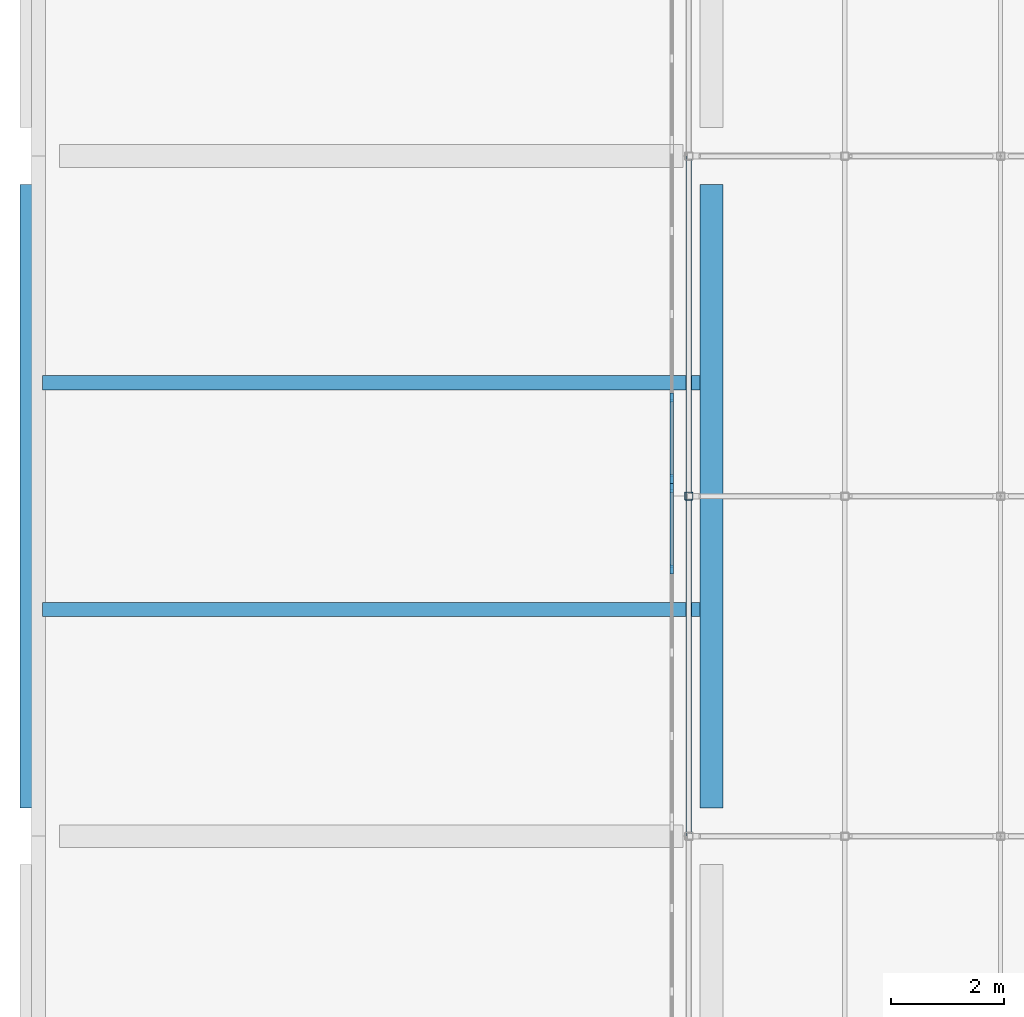
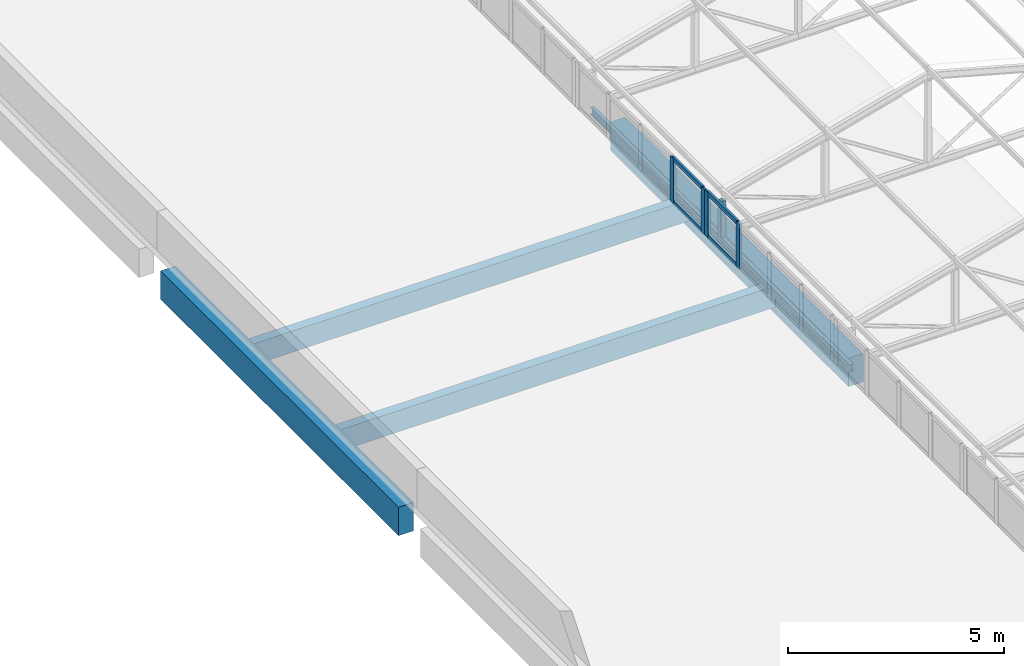
# One storey, part 13 of 94: 9 members, 5 beams, 2 elements without a shape of their own.
"""IFC4 building model written with IfcOpenShell, lengths in metres."""

from ifc_helpers import new_model, si_unit, direction, frame, origin, origin_2d, place, context, subcontext, project, spatial, rectangle, hollow_rectangle, i_section, extrude, material, layer, layer_set, material_profile, profile_set, type_object, element, aggregate, save


model = new_model("IFC4")

# Units and contexts
model_context = context("Model", 3, precision=1e-05, world=origin(), true_north=direction((0.0, 1.0)))
body_context = subcontext(model_context, "Body", "Model", "MODEL_VIEW")
ifc_project = project(units=[si_unit("LENGTHUNIT", "METRE"), si_unit("AREAUNIT", "SQUARE_METRE"), si_unit("VOLUMEUNIT", "CUBIC_METRE"), si_unit("PLANEANGLEUNIT", "RADIAN"), si_unit("MASSUNIT", "GRAM", prefix="KILO")], contexts=[model_context])

# Site, building, storey
site_placement = place(None, origin())
site = spatial("IfcSite", under=ifc_project, at=site_placement, CompositionType="ELEMENT")
building_placement = place(site_placement, origin())
building = spatial("IfcBuilding", under=site, at=building_placement, Name="Lilac Gate Convention Centre", CompositionType="ELEMENT")
storey_placement = place(building_placement, frame((0.0, 0.0, 21.0)))
storey = spatial("IfcBuildingStorey", under=building, at=storey_placement, Name="L04", CompositionType="ELEMENT", Elevation=21.0)

# Curtain wall, members
ifc_material_1 = material(Name="Aluminium framed double glazing", Category="aluminium")
ifc_layer = layer(ifc_material_1, 0.199951171875)
ifc_layer_set = layer_set([ifc_layer], Name="Aluminium framed double glazing")
curtain_wall_type = type_object("IfcCurtainWallType", Name="Unitised curtain wall 1500", PredefinedType="NOTDEFINED", material=ifc_layer_set)
curtain_wall_1_placement = place(storey_placement, origin())
curtain_wall_1 = element("IfcCurtainWall", 1, at=curtain_wall_1_placement, inside=storey, type_object=curtain_wall_type, Name="Lantern clerestory W 7", PredefinedType="NOTDEFINED")
ifc_material_2 = material(Name="Aluminium alloy 6063", Category="aluminium")
ifc_material_profile_1 = material_profile(ifc_material_2, rectangle(XDim=0.06005859375, YDim=0.159912109375, at=origin_2d()), Name="Curtain wall mullion 60 x 160")
ifc_profile_set_1 = profile_set([ifc_material_profile_1], Name="Aluminium alloy 6063")
member_type_1 = type_object("IfcMemberType", Name="Curtain wall mullion 60 x 160", PredefinedType="MULLION", material=ifc_profile_set_1)
member_1_placement = place(storey_placement, frame((17.300048828125, 70.706298828125, 0.0), z_axis=(0.0, 0.0, 1.0), x_axis=(-1.0, 0.0, 0.0)))
member_1 = element("IfcMember", 2, at=member_1_placement, type_object=member_type_1, Name="CW mullion 4", PredefinedType="MULLION", context=body_context, shape_type="SweptSolid", body=[
    extrude(rectangle(XDim=0.06005859375, YDim=0.159912109375, at=origin_2d()), origin(), (0.0, 0.0, 1.0), 1.272216796875),
])
member_2_placement = place(storey_placement, frame((17.300048828125, 72.14501953125, 0.0), z_axis=(0.0, 0.0, 1.0), x_axis=(-1.0, 0.0, 0.0)))
member_2 = element("IfcMember", 3, at=member_2_placement, type_object=member_type_1, Name="CW mullion 5", PredefinedType="MULLION", context=body_context, shape_type="SweptSolid", body=[
    extrude(rectangle(XDim=0.06005859375, YDim=0.159912109375, at=origin_2d()), origin(), (0.0, 0.0, 1.0), 1.272216796875),
])

curtain_wall_2_placement = place(storey_placement, origin())
curtain_wall_2 = element("IfcCurtainWall", 4, at=curtain_wall_2_placement, inside=storey, type_object=curtain_wall_type, Name="Lantern clerestory W 8", PredefinedType="NOTDEFINED")
member_3_placement = place(storey_placement, frame((17.300048828125, 72.304931640625, 0.0), z_axis=(0.0, 0.0, 1.0), x_axis=(-1.0, 0.0, 0.0)))
member_3 = element("IfcMember", 5, at=member_3_placement, type_object=member_type_1, Name="CW mullion 1", PredefinedType="MULLION", context=body_context, shape_type="SweptSolid", body=[
    extrude(rectangle(XDim=0.06005859375, YDim=0.159912109375, at=origin_2d()), origin(), (0.0, 0.0, 1.0), 1.272216796875),
])
member_4_placement = place(storey_placement, frame((17.300048828125, 73.74365234375, 0.0), z_axis=(0.0, 0.0, 1.0), x_axis=(-1.0, 0.0, 0.0)))
member_4 = element("IfcMember", 6, at=member_4_placement, type_object=member_type_1, Name="CW mullion 2", PredefinedType="MULLION", context=body_context, shape_type="SweptSolid", body=[
    extrude(rectangle(XDim=0.06005859375, YDim=0.159912109375, at=origin_2d()), origin(), (0.0, 0.0, 1.0), 1.272216796875),
])

# Member
ifc_material_profile_2 = material_profile(ifc_material_2, rectangle(XDim=0.06005859375, YDim=0.1201171875, at=origin_2d()), Name="Curtain wall transom 60 x 120")
ifc_profile_set_2 = profile_set([ifc_material_profile_2], Name="Aluminium alloy 6063")
member_type_2 = type_object("IfcMemberType", Name="Curtain wall transom 60 x 120", PredefinedType="USERDEFINED", material=ifc_profile_set_2)
member_5_placement = place(storey_placement, frame((17.300048828125, 70.736328125, 0.030029296875), z_axis=(0.0, 1.0, 0.0), x_axis=(-1.0, 0.0, 0.0)))
member_5 = element("IfcMember", 7, at=member_5_placement, type_object=member_type_2, Name="CW transom 4.1", ObjectType="TRANSOM", PredefinedType="USERDEFINED", context=body_context, shape_type="SweptSolid", body=[
    extrude(rectangle(XDim=0.06005859375, YDim=0.1201171875, at=origin_2d()), origin(), (0.0, 0.0, 1.0), 1.378662109375),
])

member_6_placement = place(storey_placement, frame((17.300048828125, 70.736328125, 1.2421875), z_axis=(0.0, 1.0, 0.0), x_axis=(-1.0, 0.0, 0.0)))
member_6 = element("IfcMember", 8, at=member_6_placement, type_object=member_type_2, Name="CW transom 4.2", ObjectType="TRANSOM", PredefinedType="USERDEFINED", context=body_context, shape_type="SweptSolid", body=[
    extrude(rectangle(XDim=0.06005859375, YDim=0.1201171875, at=origin_2d()), origin(), (0.0, 0.0, 1.0), 1.378662109375),
])

aggregate(curtain_wall_1, [member_1, member_2, member_5, member_6])

member_7_placement = place(storey_placement, frame((17.300048828125, 72.3349609375, 0.030029296875), z_axis=(0.0, 1.0, 0.0), x_axis=(-1.0, 0.0, 0.0)))
member_7 = element("IfcMember", 9, at=member_7_placement, type_object=member_type_2, Name="CW transom 1.1", ObjectType="TRANSOM", PredefinedType="USERDEFINED", context=body_context, shape_type="SweptSolid", body=[
    extrude(rectangle(XDim=0.06005859375, YDim=0.1201171875, at=origin_2d()), origin(), (0.0, 0.0, 1.0), 1.378662109375),
])

member_8_placement = place(storey_placement, frame((17.300048828125, 72.3349609375, 1.2421875), z_axis=(0.0, 1.0, 0.0), x_axis=(-1.0, 0.0, 0.0)))
member_8 = element("IfcMember", 10, at=member_8_placement, type_object=member_type_2, Name="CW transom 1.2", ObjectType="TRANSOM", PredefinedType="USERDEFINED", context=body_context, shape_type="SweptSolid", body=[
    extrude(rectangle(XDim=0.06005859375, YDim=0.1201171875, at=origin_2d()), origin(), (0.0, 0.0, 1.0), 1.378662109375),
])

aggregate(curtain_wall_2, [member_3, member_4, member_7, member_8])

ifc_material_3 = material(Name="Steel Q355B", Category="steel")
ifc_material_profile_3 = material_profile(ifc_material_3, hollow_rectangle(XDim=0.139892578125, YDim=0.139892578125, WallThickness=0.0048828125, InnerFilletRadius=0.0048828125, OuterFilletRadius=0.010009765625, at=origin_2d()), Name="SHS140x140x5")
ifc_profile_set_3 = profile_set([ifc_material_profile_3], Name="Steel Q355B")
member_type_3 = type_object("IfcMemberType", Name="Lantern post SHS140x140x5", PredefinedType="STRUT", material=ifc_profile_set_3)
member_9_placement = place(storey_placement, frame((17.60009765625, 72.0, 0.0), z_axis=(0.0, 0.0, 1.0), x_axis=(1.0, 0.0, 0.0)))
element("IfcMember", 11, at=member_9_placement, inside=storey, type_object=member_type_3, Name="LV1 lantern truss 8 post 1", PredefinedType="STRUT", context=body_context, shape_type="SweptSolid", body=[
    extrude(hollow_rectangle(XDim=0.139892578125, YDim=0.139892578125, WallThickness=0.0048828125, InnerFilletRadius=0.0048828125, OuterFilletRadius=0.010009765625, at=origin_2d()), origin(), (0.0, 0.0, 1.0), 1.001953125),
])

# Beams
ifc_material_profile_4 = material_profile(ifc_material_3, i_section(OverallWidth=0.10009765625, OverallDepth=0.199951171875, WebThickness=0.005615234375, FlangeThickness=0.008056640625, FilletRadius=0.008056640625, at=origin_2d()), Name="HN200x100x5.5x8")
ifc_profile_set_4 = profile_set([ifc_material_profile_4], Name="Steel Q355B")
beam_type_1 = type_object("IfcBeamType", Name="Steel edge beam HN200x100x5.5x8", PredefinedType="BEAM", material=ifc_profile_set_4)
beam_placement = place(storey_placement, frame((17.60009765625, 66.0, -0.10009765625), z_axis=(0.0, 1.0, 0.0), x_axis=(-1.0, 0.0, 0.0)))
element("IfcBeam", 12, at=beam_placement, inside=storey, type_object=beam_type_1, Name="LE2 lantern west edge beam 4", PredefinedType="BEAM", context=body_context, shape_type="SweptSolid", body=[
    extrude(i_section(OverallWidth=0.10009765625, OverallDepth=0.199951171875, WebThickness=0.005615234375, FlangeThickness=0.008056640625, FilletRadius=0.008056640625, at=origin_2d()), origin(), (0.0, 0.0, 1.0), 12.0),
])
ifc_material_4 = material(Name="Concrete C40", Category="concrete")
ifc_material_profile_5 = material_profile(ifc_material_4, rectangle(XDim=0.39990234375, YDim=0.800048828125, at=origin_2d()), Name="RC 400x800")
ifc_profile_set_5 = profile_set([ifc_material_profile_5], Name="Concrete C40")
beam_type_2 = type_object("IfcBeamType", Name="Tower primary beam 400x800 C40", PredefinedType="BEAM", material=ifc_profile_set_5)
for number, where, z_axis, x_axis, name in (
    (13, (6.0, 66.5, -0.60009765625), (0.0, 1.0, 0.0), (-1.0, 0.0, 0.0), "RB3 L04 1/D-1/E"),
    (14, (18.0, 66.5, -0.60009765625), (0.0, 1.0, 0.0), (-1.0, 0.0, 0.0), "RB3 L04 2/D-2/E"),
):
    element("IfcBeam", number, at=place(storey_placement, frame(where, z_axis=z_axis, x_axis=x_axis)), inside=storey, type_object=beam_type_2, Name=name, PredefinedType="BEAM", context=body_context, shape_type="SweptSolid", body=[
        extrude(rectangle(XDim=0.39990234375, YDim=0.800048828125, at=origin_2d()), origin(), (0.0, 0.0, 1.0), 11.0),
    ])
ifc_material_profile_6 = material_profile(ifc_material_4, rectangle(XDim=0.25, YDim=0.60009765625, at=origin_2d()), Name="RC 250x600")
ifc_profile_set_6 = profile_set([ifc_material_profile_6], Name="Concrete C40")
beam_type_3 = type_object("IfcBeamType", Name="Tower secondary beam 250x600 C40", PredefinedType="BEAM", material=ifc_profile_set_6)
for number, where, z_axis, x_axis, name in (
    (15, (6.199951171875, 70.0, -0.5), (1.0, 0.0, 0.0), (0.0, 1.0, 0.0), "RB4 L04 bay 1/D"),
    (16, (6.199951171875, 74.0, -0.5), (1.0, 0.0, 0.0), (0.0, 1.0, 0.0), "RB4 L04 bay 1/D"),
):
    element("IfcBeam", number, at=place(storey_placement, frame(where, z_axis=z_axis, x_axis=x_axis)), inside=storey, type_object=beam_type_3, Name=name, PredefinedType="BEAM", context=body_context, shape_type="SweptSolid", body=[
        extrude(rectangle(XDim=0.25, YDim=0.60009765625, at=origin_2d()), origin(), (0.0, 0.0, 1.0), 11.60009765625),
    ])

save(model, "model.ifc")
